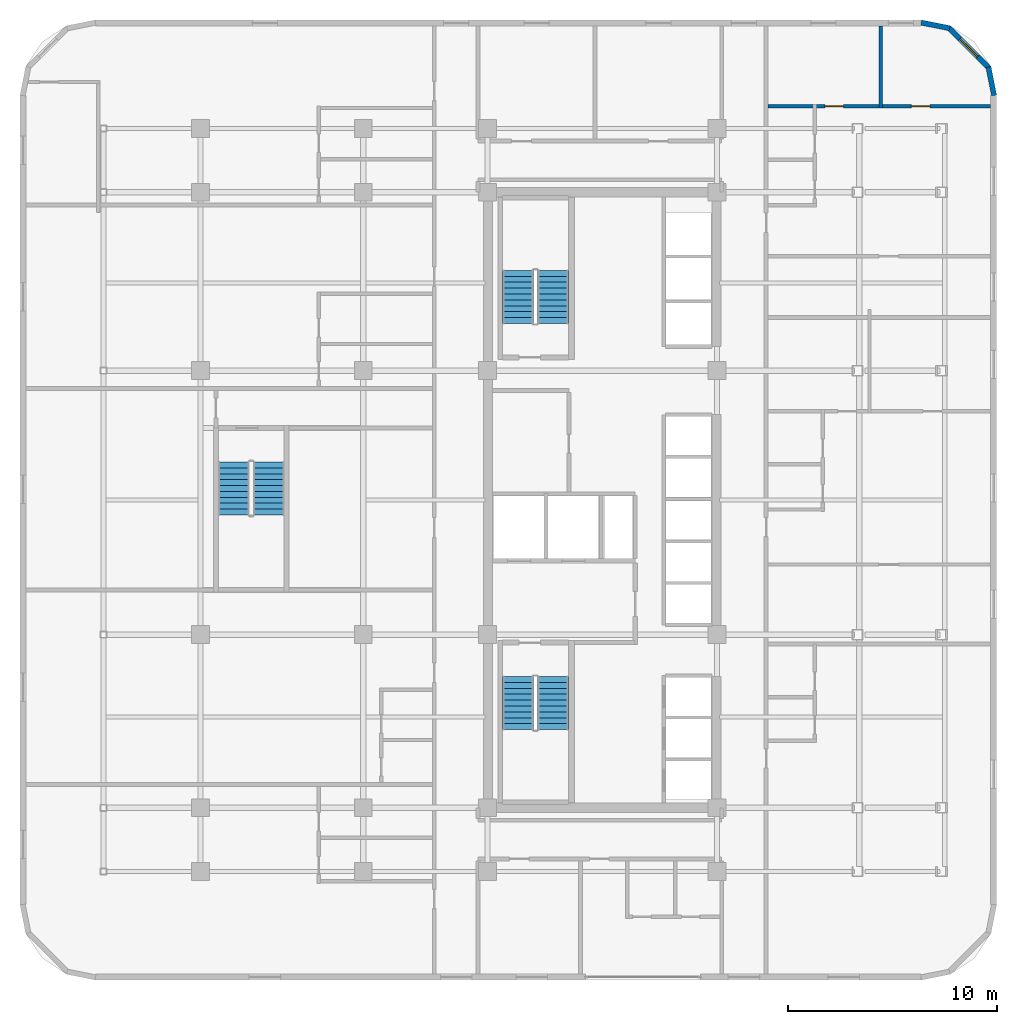
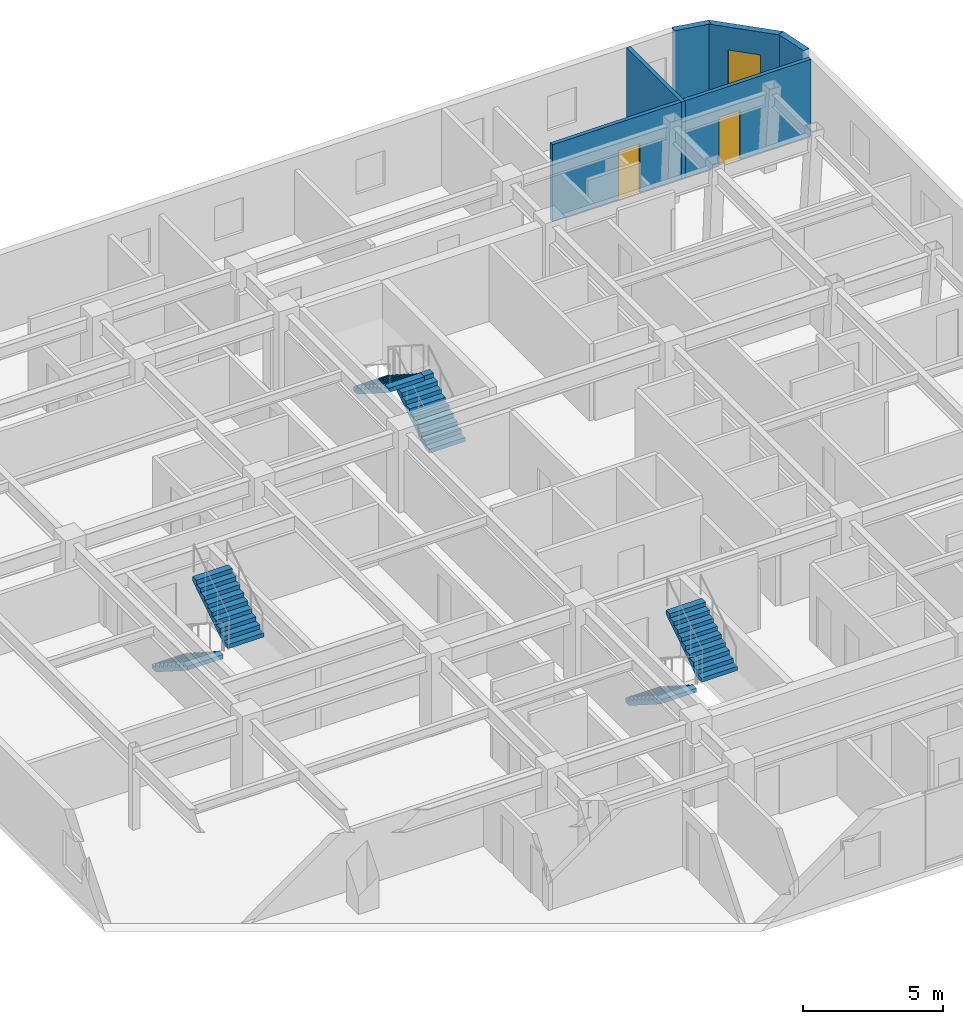
# One storey, part 12 of 13: 6 stair flights, 5 walls, 2 doors, 1 window, 3 openings, 3 elements without a shape of their own.
"""IFC4 building model written with IfcOpenShell, lengths in metres."""

from ifc_helpers import new_model, si_unit, direction, frame, frame_2d, origin, place, context, subcontext, project, spatial, polyline, rectangle, outline, extrude, material, layer, layer_set, type_object, element, fill, aggregate, save


model = new_model("IFC4")

# Units and contexts
model_context = context("Model", 3, precision=1e-05, world=origin(), true_north=direction((0.0, 1.0)))
body_context = subcontext(model_context, "Body", "Model", "MODEL_VIEW")
ifc_project = project(units=[si_unit("LENGTHUNIT", "METRE"), si_unit("AREAUNIT", "SQUARE_METRE"), si_unit("VOLUMEUNIT", "CUBIC_METRE"), si_unit("PLANEANGLEUNIT", "RADIAN"), si_unit("MASSUNIT", "GRAM", prefix="KILO")], contexts=[model_context])

# Site, building, storey
site_placement = place(None, origin())
site = spatial("IfcSite", under=ifc_project, at=site_placement, CompositionType="ELEMENT")
building_placement = place(site_placement, origin())
building = spatial("IfcBuilding", under=site, at=building_placement, Name="Ochreholt Gables", CompositionType="ELEMENT")
storey_placement = place(building_placement, frame((0.0, 0.0, 56.39990234375)))
storey = spatial("IfcBuildingStorey", under=building, at=storey_placement, Name="L14", CompositionType="ELEMENT", Elevation=56.39990234375)

# Wall
ifc_material_1 = material(Name="Precast concrete 40 MPa", Category="concrete")
ifc_layer_1 = layer(ifc_material_1, 0.25, Name="Precast concrete 40 MPa")
ifc_layer_set_1 = layer_set([ifc_layer_1], Name="Precast concrete 40 MPa")
wall_type_1 = type_object("IfcWallType", Name="WALL-EXT-CNR", PredefinedType="SOLIDWALL", material=ifc_layer_set_1)
wall_1_placement = place(storey_placement, frame((48.475830078125, 43.383544921875, 0.0), z_axis=(0.0, 0.0, 1.0), x_axis=(-0.19496651342, 0.980809899341, 0.0)))
element("IfcWall", 1, at=wall_1_placement, inside=storey, type_object=wall_type_1, Name="L14 Rounded Corner Wall NE-1", PredefinedType="SOLIDWALL", context=body_context, shape_type="SweptSolid", body=[
    extrude(rectangle(XDim=1.388671875, YDim=0.25, at=frame_2d((0.6943359375, 0.0))), origin(), (0.0, 0.0, 1.0), 3.35009765625),
])

# Wall, opening, window
wall_2_placement = place(storey_placement, frame((48.23193359375, 44.695068359375, 0.0), z_axis=(0.0, 0.0, 1.0), x_axis=(-0.707106781187, 0.707106781187, 0.0)))
wall_2 = element("IfcWall", 2, at=wall_2_placement, inside=storey, type_object=wall_type_1, Name="L14 Rounded Corner Wall NE-2", PredefinedType="SOLIDWALL", context=body_context, shape_type="SweptSolid", body=[
    extrude(rectangle(XDim=2.7392578125, YDim=0.25, at=frame_2d((1.36962890625, 0.0))), origin(), (0.0, 0.0, 1.0), 3.35009765625),
])
opening_1_placement = place(wall_2_placement, frame((0.769775390625, 0.0, 0.85009765625)))
opening_1 = element("IfcOpeningElement", 3, at=opening_1_placement, cuts=wall_2, Name="Opening WN-3", PredefinedType="OPENING", context=body_context, shape_type="SweptSolid", body=[
    extrude(rectangle(XDim=1.199951171875, YDim=1.5, at=frame_2d((0.60009765625, 0.75))), frame((0.0, 0.135009765625, 0.0), z_axis=(0.0, -1.0, 0.0), x_axis=(1.0, 0.0, 0.0)), (0.0, 0.0, 1.0), 0.27001953125),
])
ifc_material_2 = material(Name="Triple-Glazed Thermally Broken Aluminium Window", Category="aluminium")
window_type = type_object("IfcWindowType", Name="WIN-RES-1200", PartitioningType="SINGLE_PANEL", PredefinedType="WINDOW", material=ifc_material_2)
window_placement = place(opening_1_placement, origin())
window = element("IfcWindow", 4, at=window_placement, inside=storey, type_object=window_type, Name="L14 Corner Bedroom Window NE", OverallHeight=1.5, OverallWidth=1.199951171875, PartitioningType="SINGLE_PANEL", PredefinedType="WINDOW", context=body_context, shape_type="SweptSolid", body=[
    extrude(rectangle(XDim=1.199951171875, YDim=1.5, at=frame_2d((0.60009765625, 0.75))), frame((0.0, 0.030029296875, 0.0), z_axis=(0.0, -1.0, 0.0), x_axis=(1.0, 0.0, 0.0)), (0.0, 0.0, 1.0), 0.06005859375),
])
fill(opening_1, window)

# Wall
wall_3_placement = place(storey_placement, frame((46.345458984375, 46.60498046875, 0.0), z_axis=(0.0, 0.0, 1.0), x_axis=(-0.980809899341, 0.19496651342, 0.0)))
element("IfcWall", 5, at=wall_3_placement, inside=storey, type_object=wall_type_1, Name="L14 Rounded Corner Wall NE-3", PredefinedType="SOLIDWALL", context=body_context, shape_type="SweptSolid", body=[
    extrude(rectangle(XDim=1.388671875, YDim=0.25, at=frame_2d((0.6943359375, 0.0))), origin(), (0.0, 0.0, 1.0), 3.35009765625),
])

# Wall, openings, doors
ifc_material_3 = material(Name="Gypsum Acoustic Stud Partition", Category="gypsum")
ifc_layer_2 = layer(ifc_material_3, 0.159912109375, Name="Gypsum Acoustic Stud Partition")
ifc_layer_set_2 = layer_set([ifc_layer_2], Name="Gypsum Acoustic Stud Partition")
wall_type_2 = type_object("IfcWallType", Name="WALL-INT-PT160", PredefinedType="PARTITIONING", material=ifc_layer_set_2)
wall_4_placement = place(storey_placement, frame((37.639892578125, 42.860107421875, 0.0), z_axis=(0.0, 0.0, 1.0), x_axis=(1.0, 0.0, 0.0)))
wall_4 = element("IfcWall", 6, at=wall_4_placement, inside=storey, type_object=wall_type_2, Name="L14 Interior Wall WU-L14E3-MN", PredefinedType="PARTITIONING", context=body_context, shape_type="SweptSolid", body=[
    extrude(rectangle(XDim=10.670166015625, YDim=0.159912109375, at=frame_2d((5.3349609375, 0.0))), origin(), (0.0, 0.0, 1.0), 3.35009765625),
])
opening_2_placement = place(wall_4_placement, frame((2.732421875, 0.0, 0.0)))
opening_2 = element("IfcOpeningElement", 7, at=opening_2_placement, cuts=wall_4, Name="Opening D-BD2", PredefinedType="OPENING", context=body_context, shape_type="SweptSolid", body=[
    extrude(rectangle(XDim=0.8798828125, YDim=2.139892578125, at=frame_2d((0.43994140625, 1.06982421875))), frame((0.0, 0.08984375, 0.0), z_axis=(0.0, -1.0, 0.0), x_axis=(1.0, 0.0, 0.0)), (0.0, 0.0, 1.0), 0.179931640625),
])
opening_3_placement = place(wall_4_placement, frame((6.87255859375, 0.0, 0.0)))
opening_3 = element("IfcOpeningElement", 8, at=opening_3_placement, cuts=wall_4, Name="Opening D-BD2", PredefinedType="OPENING", context=body_context, shape_type="SweptSolid", body=[
    extrude(rectangle(XDim=0.8798828125, YDim=2.139892578125, at=frame_2d((0.43994140625, 1.06982421875))), frame((0.0, 0.08984375, 0.0), z_axis=(0.0, -1.0, 0.0), x_axis=(1.0, 0.0, 0.0)), (0.0, 0.0, 1.0), 0.179931640625),
])
ifc_material_4 = material(Name="Engineered Oak Timber", Category="wood")
door_type = type_object("IfcDoorType", Name="DR-INT-BED880", OperationType="NOTDEFINED", PredefinedType="DOOR", material=ifc_material_4)
door_1_placement = place(opening_2_placement, origin())
door_1 = element("IfcDoor", 9, at=door_1_placement, inside=storey, type_object=door_type, Name="L14 Door D-U-L14E3-BD1", OperationType="SINGLE_SWING_RIGHT", OverallHeight=2.139892578125, OverallWidth=0.8798828125, PredefinedType="DOOR", context=body_context, shape_type="SweptSolid", body=[
    extrude(rectangle(XDim=0.8798828125, YDim=2.139892578125, at=frame_2d((0.43994140625, 1.06982421875))), frame((0.0, 0.02490234375, 0.0), z_axis=(0.0, -1.0, 0.0), x_axis=(1.0, 0.0, 0.0)), (0.0, 0.0, 1.0), 0.050048828125),
])
fill(opening_2, door_1)
door_2_placement = place(opening_3_placement, origin())
door_2 = element("IfcDoor", 10, at=door_2_placement, inside=storey, type_object=door_type, Name="L14 Door D-U-L14E3-BD2", OperationType="SINGLE_SWING_LEFT", OverallHeight=2.139892578125, OverallWidth=0.8798828125, PredefinedType="DOOR", context=body_context, shape_type="SweptSolid", body=[
    extrude(rectangle(XDim=0.8798828125, YDim=2.139892578125, at=frame_2d((0.43994140625, 1.06982421875))), frame((0.0, 0.02490234375, 0.0), z_axis=(0.0, -1.0, 0.0), x_axis=(1.0, 0.0, 0.0)), (0.0, 0.0, 1.0), 0.050048828125),
])
fill(opening_3, door_2)

# Wall
wall_5_placement = place(storey_placement, frame((43.044921875, 42.780029296875, 0.0), z_axis=(0.0, 0.0, 1.0), x_axis=(0.0, 1.0, 0.0)))
element("IfcWall", 11, at=wall_5_placement, inside=storey, type_object=wall_type_2, Name="L14 Interior Wall WU-L14E3-BSD", PredefinedType="PARTITIONING", context=body_context, shape_type="SweptSolid", body=[
    extrude(rectangle(XDim=3.929931640625, YDim=0.159912109375, at=frame_2d((1.96484375, 0.0))), origin(), (0.0, 0.0, 1.0), 3.35009765625),
])

# Stair, stair flights
ifc_material_5 = material(Name="Concrete 40 MPa", Category="concrete")
stair_type_1 = type_object("IfcStairType", Name="STAIR-CORE-ST-1", PredefinedType="HALF_TURN_STAIR", material=ifc_material_5)
stair_1_placement = place(storey_placement, origin())
stair_1 = element("IfcStair", 12, at=stair_1_placement, inside=storey, type_object=stair_type_1, Name="L14 Core Exit Stair 1", PredefinedType="HALF_TURN_STAIR")
stair_flight_type = type_object("IfcStairFlightType", Name="FLIGHT-ST-1480-1800", PredefinedType="STRAIGHT", material=ifc_material_5)
stair_flight_1_placement = place(storey_placement, frame((25.659912109375, 15.5400390625, 0.0), z_axis=(0.0, 0.0, 1.0), x_axis=(0.0, -1.0, 0.0)))
stair_flight_1 = element("IfcStairFlight", 13, at=stair_flight_1_placement, type_object=stair_flight_type, Name="ST-1 flight 1", NumberOfRisers=10, NumberOfTreads=9, PredefinedType="STRAIGHT", RiserHeight=0.18, TreadLength=0.282, context=body_context, shape_type="SweptSolid", body=[
    extrude(outline(polyline([(0.0, 0.0), (0.0, 0.179931640625), (0.281982421875, 0.179931640625), (0.281982421875, 0.360107421875), (0.56396484375, 0.360107421875), (0.56396484375, 0.5400390625), (0.845947265625, 0.5400390625), (0.845947265625, 0.719970703125), (1.1279296875, 0.719970703125), (1.1279296875, 0.89990234375), (1.409912109375, 0.89990234375), (1.409912109375, 1.080078125), (1.69189453125, 1.080078125), (1.69189453125, 1.260009765625), (1.97412109375, 1.260009765625), (1.97412109375, 1.43994140625), (2.256103515625, 1.43994140625), (2.256103515625, 1.6201171875), (2.5380859375, 1.6201171875), (2.5380859375, 1.800048828125), (2.5380859375, 1.442138671875), (0.278564453125, 0.0), (0.0, 0.0)])), frame((0.0, 0.739990234375, 0.0), z_axis=(0.0, -1.0, 0.0), x_axis=(1.0, 0.0, 0.0)), (0.0, 0.0, 1.0), 1.47998046875),
])
stair_flight_2_placement = place(storey_placement, frame((27.340087890625, 13.001953125, 1.800048828125), z_axis=(0.0, 0.0, 1.0), x_axis=(0.0, 1.0, 0.0)))
stair_flight_2 = element("IfcStairFlight", 14, at=stair_flight_2_placement, type_object=stair_flight_type, Name="ST-1 flight 2", NumberOfRisers=10, NumberOfTreads=9, PredefinedType="STRAIGHT", RiserHeight=0.18, TreadLength=0.282, context=body_context, shape_type="SweptSolid", body=[
    extrude(outline(polyline([(0.0, 0.0), (0.0, 0.179931640625), (0.281982421875, 0.179931640625), (0.281982421875, 0.360107421875), (0.56396484375, 0.360107421875), (0.56396484375, 0.5400390625), (0.845947265625, 0.5400390625), (0.845947265625, 0.719970703125), (1.1279296875, 0.719970703125), (1.1279296875, 0.89990234375), (1.409912109375, 0.89990234375), (1.409912109375, 1.080078125), (1.69189453125, 1.080078125), (1.69189453125, 1.260009765625), (1.97412109375, 1.260009765625), (1.97412109375, 1.43994140625), (2.256103515625, 1.43994140625), (2.256103515625, 1.6201171875), (2.5380859375, 1.6201171875), (2.5380859375, 1.800048828125), (2.5380859375, 1.442138671875), (0.278564453125, 0.0), (0.0, 0.0)])), frame((0.0, 0.739990234375, 0.0), z_axis=(0.0, -1.0, 0.0), x_axis=(1.0, 0.0, 0.0)), (0.0, 0.0, 1.0), 1.47998046875),
])
aggregate(stair_1, [stair_flight_1, stair_flight_2])

stair_type_2 = type_object("IfcStairType", Name="STAIR-CORE-ST-2", PredefinedType="HALF_TURN_STAIR", material=ifc_material_5)
stair_2_placement = place(storey_placement, origin())
stair_2 = element("IfcStair", 15, at=stair_2_placement, inside=storey, type_object=stair_type_2, Name="L14 Core Exit Stair 2", PredefinedType="HALF_TURN_STAIR")
stair_flight_3_placement = place(storey_placement, frame((27.340087890625, 32.4599609375, 0.0), z_axis=(0.0, 0.0, 1.0), x_axis=(0.0, 1.0, 0.0)))
stair_flight_3 = element("IfcStairFlight", 16, at=stair_flight_3_placement, type_object=stair_flight_type, Name="ST-2 flight 1", NumberOfRisers=10, NumberOfTreads=9, PredefinedType="STRAIGHT", RiserHeight=0.18, TreadLength=0.282, context=body_context, shape_type="SweptSolid", body=[
    extrude(outline(polyline([(0.0, 0.0), (0.0, 0.179931640625), (0.281982421875, 0.179931640625), (0.281982421875, 0.360107421875), (0.56396484375, 0.360107421875), (0.56396484375, 0.5400390625), (0.845947265625, 0.5400390625), (0.845947265625, 0.719970703125), (1.1279296875, 0.719970703125), (1.1279296875, 0.89990234375), (1.409912109375, 0.89990234375), (1.409912109375, 1.080078125), (1.69189453125, 1.080078125), (1.69189453125, 1.260009765625), (1.97412109375, 1.260009765625), (1.97412109375, 1.43994140625), (2.256103515625, 1.43994140625), (2.256103515625, 1.6201171875), (2.5380859375, 1.6201171875), (2.5380859375, 1.800048828125), (2.5380859375, 1.442138671875), (0.278564453125, 0.0), (0.0, 0.0)])), frame((0.0, 0.739990234375, 0.0), z_axis=(0.0, -1.0, 0.0), x_axis=(1.0, 0.0, 0.0)), (0.0, 0.0, 1.0), 1.47998046875),
])
stair_flight_4_placement = place(storey_placement, frame((25.659912109375, 34.998046875, 1.800048828125), z_axis=(0.0, 0.0, 1.0), x_axis=(0.0, -1.0, 0.0)))
stair_flight_4 = element("IfcStairFlight", 17, at=stair_flight_4_placement, type_object=stair_flight_type, Name="ST-2 flight 2", NumberOfRisers=10, NumberOfTreads=9, PredefinedType="STRAIGHT", RiserHeight=0.18, TreadLength=0.282, context=body_context, shape_type="SweptSolid", body=[
    extrude(outline(polyline([(0.0, 0.0), (0.0, 0.179931640625), (0.281982421875, 0.179931640625), (0.281982421875, 0.360107421875), (0.56396484375, 0.360107421875), (0.56396484375, 0.5400390625), (0.845947265625, 0.5400390625), (0.845947265625, 0.719970703125), (1.1279296875, 0.719970703125), (1.1279296875, 0.89990234375), (1.409912109375, 0.89990234375), (1.409912109375, 1.080078125), (1.69189453125, 1.080078125), (1.69189453125, 1.260009765625), (1.97412109375, 1.260009765625), (1.97412109375, 1.43994140625), (2.256103515625, 1.43994140625), (2.256103515625, 1.6201171875), (2.5380859375, 1.6201171875), (2.5380859375, 1.800048828125), (2.5380859375, 1.442138671875), (0.278564453125, 0.0), (0.0, 0.0)])), frame((0.0, 0.739990234375, 0.0), z_axis=(0.0, -1.0, 0.0), x_axis=(1.0, 0.0, 0.0)), (0.0, 0.0, 1.0), 1.47998046875),
])
aggregate(stair_2, [stair_flight_3, stair_flight_4])

stair_type_3 = type_object("IfcStairType", Name="STAIR-CORE-ST-C1", PredefinedType="HALF_TURN_STAIR", material=ifc_material_5)
stair_3_placement = place(storey_placement, origin())
stair_3 = element("IfcStair", 18, at=stair_3_placement, inside=storey, type_object=stair_type_3, Name="L14 Community Feature Stair ST-C1", PredefinedType="HALF_TURN_STAIR")
stair_flight_5_placement = place(storey_placement, frame((12.0400390625, 25.820068359375, 0.0), z_axis=(0.0, 0.0, 1.0), x_axis=(0.0, -1.0, 0.0)))
stair_flight_5 = element("IfcStairFlight", 19, at=stair_flight_5_placement, type_object=stair_flight_type, Name="ST-C1 flight 1", NumberOfRisers=10, NumberOfTreads=9, PredefinedType="STRAIGHT", RiserHeight=0.18, TreadLength=0.282, context=body_context, shape_type="SweptSolid", body=[
    extrude(outline(polyline([(0.0, 0.0), (0.0, 0.179931640625), (0.281982421875, 0.179931640625), (0.281982421875, 0.360107421875), (0.56396484375, 0.360107421875), (0.56396484375, 0.5400390625), (0.845947265625, 0.5400390625), (0.845947265625, 0.719970703125), (1.1279296875, 0.719970703125), (1.1279296875, 0.89990234375), (1.409912109375, 0.89990234375), (1.409912109375, 1.080078125), (1.69189453125, 1.080078125), (1.69189453125, 1.260009765625), (1.97412109375, 1.260009765625), (1.97412109375, 1.43994140625), (2.256103515625, 1.43994140625), (2.256103515625, 1.6201171875), (2.5380859375, 1.6201171875), (2.5380859375, 1.800048828125), (2.5380859375, 1.442138671875), (0.278564453125, 0.0), (0.0, 0.0)])), frame((0.0, 0.739990234375, 0.0), z_axis=(0.0, -1.0, 0.0), x_axis=(1.0, 0.0, 0.0)), (0.0, 0.0, 1.0), 1.47998046875),
])
stair_flight_6_placement = place(storey_placement, frame((13.719970703125, 23.281982421875, 1.800048828125), z_axis=(0.0, 0.0, 1.0), x_axis=(0.0, 1.0, 0.0)))
stair_flight_6 = element("IfcStairFlight", 20, at=stair_flight_6_placement, type_object=stair_flight_type, Name="ST-C1 flight 2", NumberOfRisers=10, NumberOfTreads=9, PredefinedType="STRAIGHT", RiserHeight=0.18, TreadLength=0.282, context=body_context, shape_type="SweptSolid", body=[
    extrude(outline(polyline([(0.0, 0.0), (0.0, 0.179931640625), (0.281982421875, 0.179931640625), (0.281982421875, 0.360107421875), (0.56396484375, 0.360107421875), (0.56396484375, 0.5400390625), (0.845947265625, 0.5400390625), (0.845947265625, 0.719970703125), (1.1279296875, 0.719970703125), (1.1279296875, 0.89990234375), (1.409912109375, 0.89990234375), (1.409912109375, 1.080078125), (1.69189453125, 1.080078125), (1.69189453125, 1.260009765625), (1.97412109375, 1.260009765625), (1.97412109375, 1.43994140625), (2.256103515625, 1.43994140625), (2.256103515625, 1.6201171875), (2.5380859375, 1.6201171875), (2.5380859375, 1.800048828125), (2.5380859375, 1.442138671875), (0.278564453125, 0.0), (0.0, 0.0)])), frame((0.0, 0.739990234375, 0.0), z_axis=(0.0, -1.0, 0.0), x_axis=(1.0, 0.0, 0.0)), (0.0, 0.0, 1.0), 1.47998046875),
])
aggregate(stair_3, [stair_flight_5, stair_flight_6])

save(model, "model.ifc")
